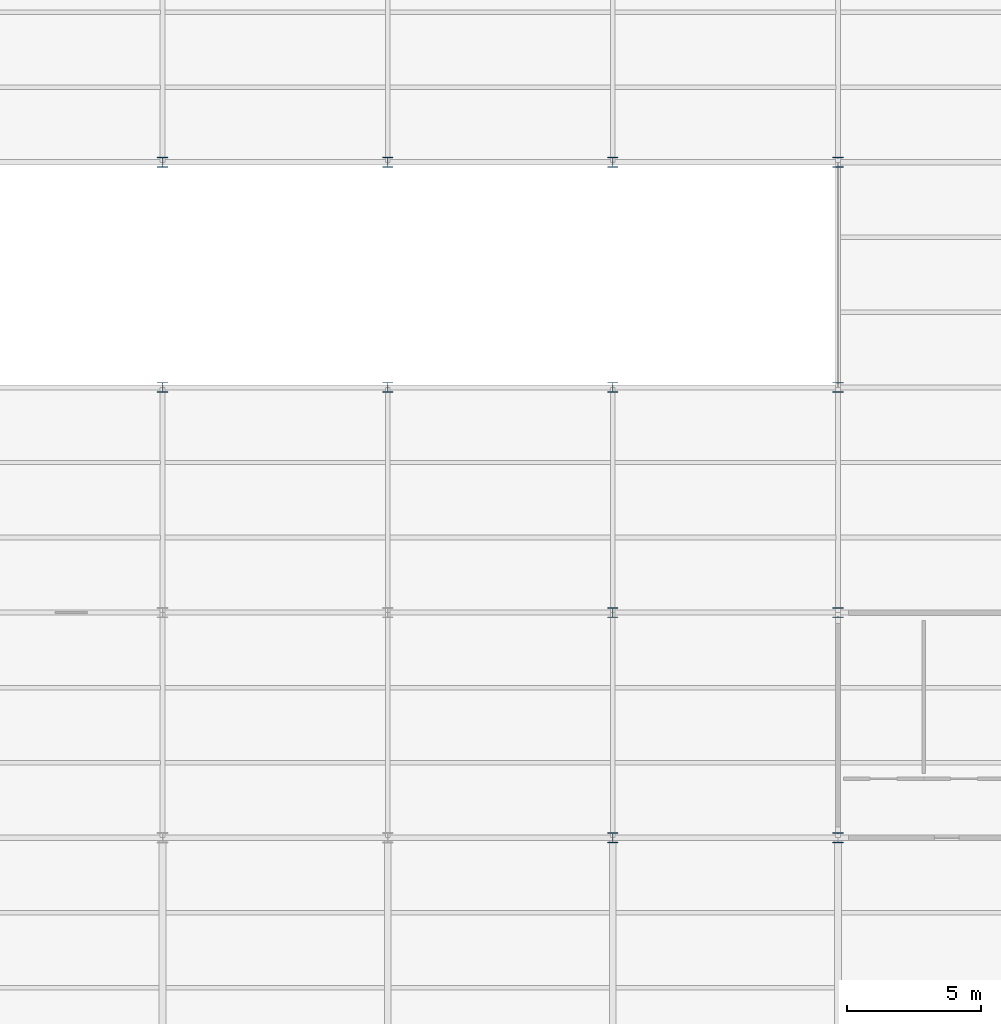
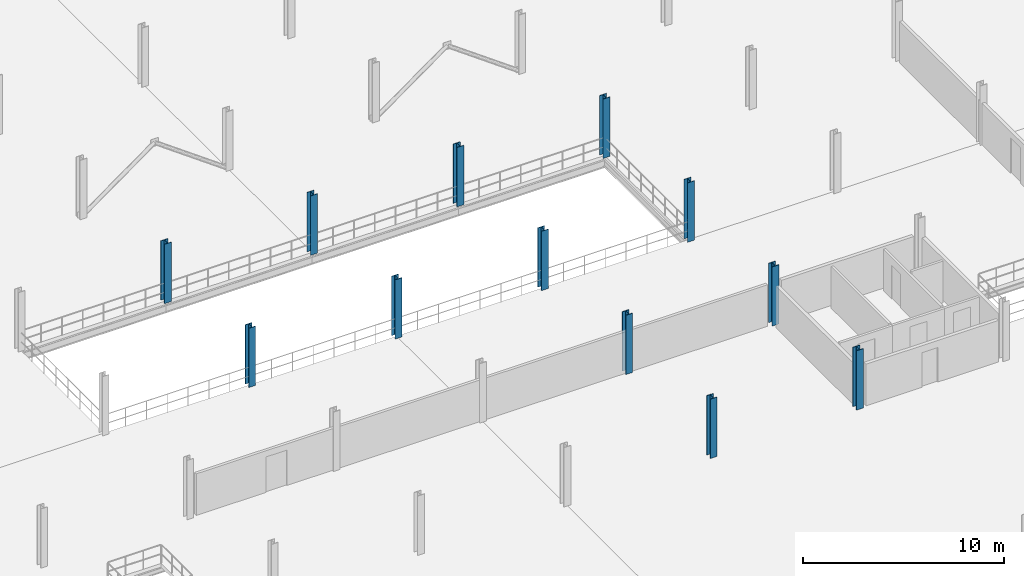
# One storey, part 4 of 79: 12 columns.
"""IFC4 building model written with IfcOpenShell, lengths in metres."""

from ifc_helpers import new_model, si_unit, direction, frame, origin, origin_2d, place, context, subcontext, project, spatial, i_section, extrude, material, material_profile, profile_set, type_object, element, save


model = new_model("IFC4")

# Units and contexts
model_context = context("Model", 3, precision=1e-05, world=origin(), true_north=direction((0.0, 1.0)))
body_context = subcontext(model_context, "Body", "Model", "MODEL_VIEW")
ifc_project = project(units=[si_unit("LENGTHUNIT", "METRE"), si_unit("AREAUNIT", "SQUARE_METRE"), si_unit("VOLUMEUNIT", "CUBIC_METRE"), si_unit("PLANEANGLEUNIT", "RADIAN"), si_unit("MASSUNIT", "GRAM", prefix="KILO"), si_unit("THERMODYNAMICTEMPERATUREUNIT", "KELVIN"), si_unit("POWERUNIT", "WATT")], contexts=[model_context])

# Site, building, storey
site_placement = place(None, origin())
site = spatial("IfcSite", under=ifc_project, at=site_placement, CompositionType="ELEMENT")
building_placement = place(site_placement, origin())
building = spatial("IfcBuilding", under=site, at=building_placement, Name="Tembeka Court Mobility Hub", CompositionType="ELEMENT")
storey_placement = place(building_placement, frame((0.0, 0.0, 9.0)))
storey = spatial("IfcBuildingStorey", under=building, at=storey_placement, Name="L02", CompositionType="ELEMENT", Elevation=9.0)

# Columns
ifc_material = material(Name="Steel S355", Category="steel")
ifc_material_profile = material_profile(ifc_material, i_section(OverallWidth=0.39501953125, OverallDepth=0.381103515625, WebThickness=0.018310546875, FlangeThickness=0.0302734375, FilletRadius=0.01513671875, at=origin_2d()), Name="UKC 356x406x235")
ifc_profile_set = profile_set([ifc_material_profile], Name="Steel S355")
column_type = type_object("IfcColumnType", Name="COL-C02", PredefinedType="COLUMN", material=ifc_profile_set)
for number, where, z_axis, x_axis, name in (
    (1, (33.60009765625, 55.199951171875, 0.0), (0.0, 0.0, 1.0), (1.0, 0.0, 0.0), "Column C02 (L02-052)"),
    (2, (33.60009765625, 63.60009765625, 0.0), (0.0, 0.0, 1.0), (1.0, 0.0, 0.0), "Column C02 (L02-053)"),
    (3, (42.0, 55.199951171875, 0.0), (0.0, 0.0, 1.0), (1.0, 0.0, 0.0), "Column C02 (L02-064)"),
    (4, (42.0, 63.60009765625, 0.0), (0.0, 0.0, 1.0), (1.0, 0.0, 0.0), "Column C02 (L02-065)"),
    (5, (50.39990234375, 38.39990234375, 0.0), (0.0, 0.0, 1.0), (1.0, 0.0, 0.0), "Column C02 (L02-074)"),
    (6, (50.39990234375, 46.800048828125, 0.0), (0.0, 0.0, 1.0), (1.0, 0.0, 0.0), "Column C02 (L02-075)"),
    (7, (50.39990234375, 55.199951171875, 0.0), (0.0, 0.0, 1.0), (1.0, 0.0, 0.0), "Column C02 (L02-076)"),
    (8, (50.39990234375, 63.60009765625, 0.0), (0.0, 0.0, 1.0), (1.0, 0.0, 0.0), "Column C02 (L02-077)"),
    (9, (58.800048828125, 38.39990234375, 0.0), (0.0, 0.0, 1.0), (1.0, 0.0, 0.0), "Column C02 (L02-085)"),
    (10, (58.800048828125, 46.800048828125, 0.0), (0.0, 0.0, 1.0), (1.0, 0.0, 0.0), "Column C02 (L02-086)"),
    (11, (58.800048828125, 55.199951171875, 0.0), (0.0, 0.0, 1.0), (1.0, 0.0, 0.0), "Column C02 (L02-087)"),
    (12, (58.800048828125, 63.60009765625, 0.0), (0.0, 0.0, 1.0), (1.0, 0.0, 0.0), "Column C02 (L02-088)"),
):
    element("IfcColumn", number, at=place(storey_placement, frame(where, z_axis=z_axis, x_axis=x_axis)), inside=storey, type_object=column_type, Name=name, PredefinedType="COLUMN", context=body_context, shape_type="SweptSolid", body=[
        extrude(i_section(OverallWidth=0.39501953125, OverallDepth=0.381103515625, WebThickness=0.018310546875, FlangeThickness=0.0302734375, FilletRadius=0.01513671875, at=origin_2d()), origin(), (0.0, 0.0, 1.0), 3.60009765625),
    ])

save(model, "model.ifc")
